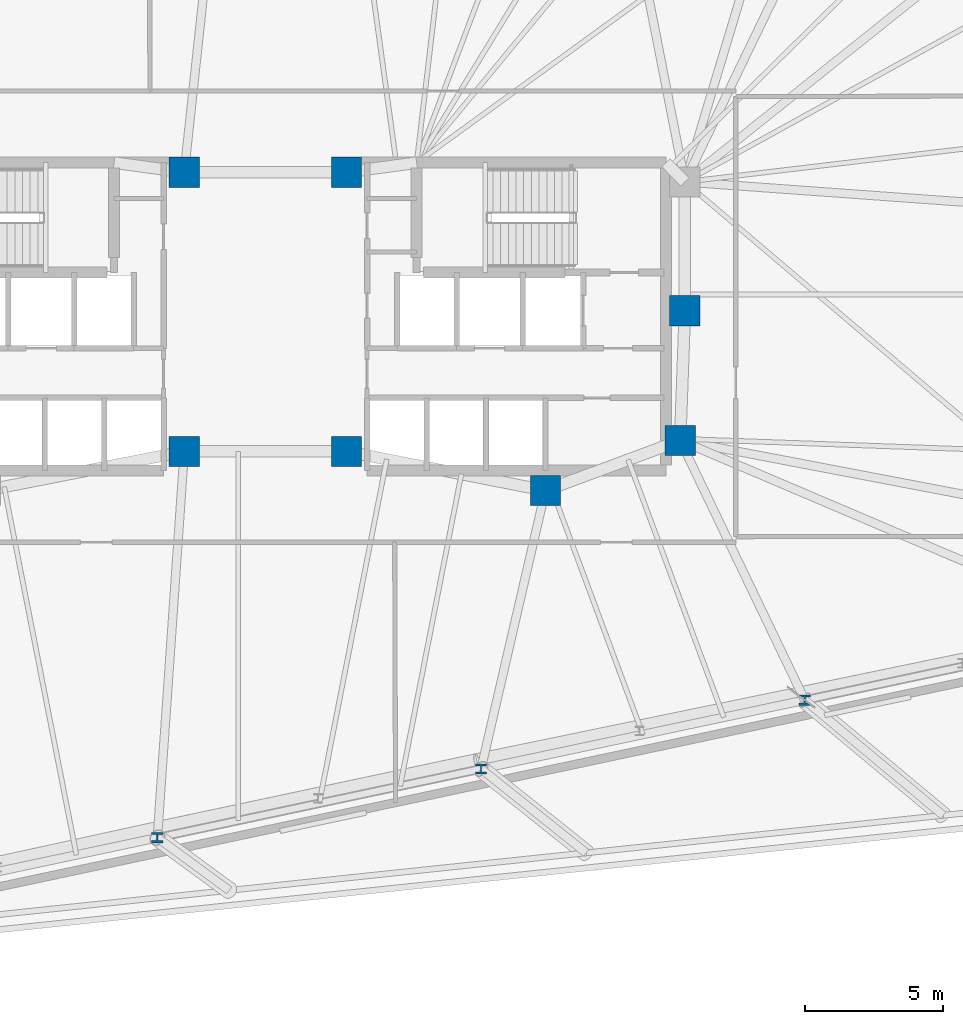
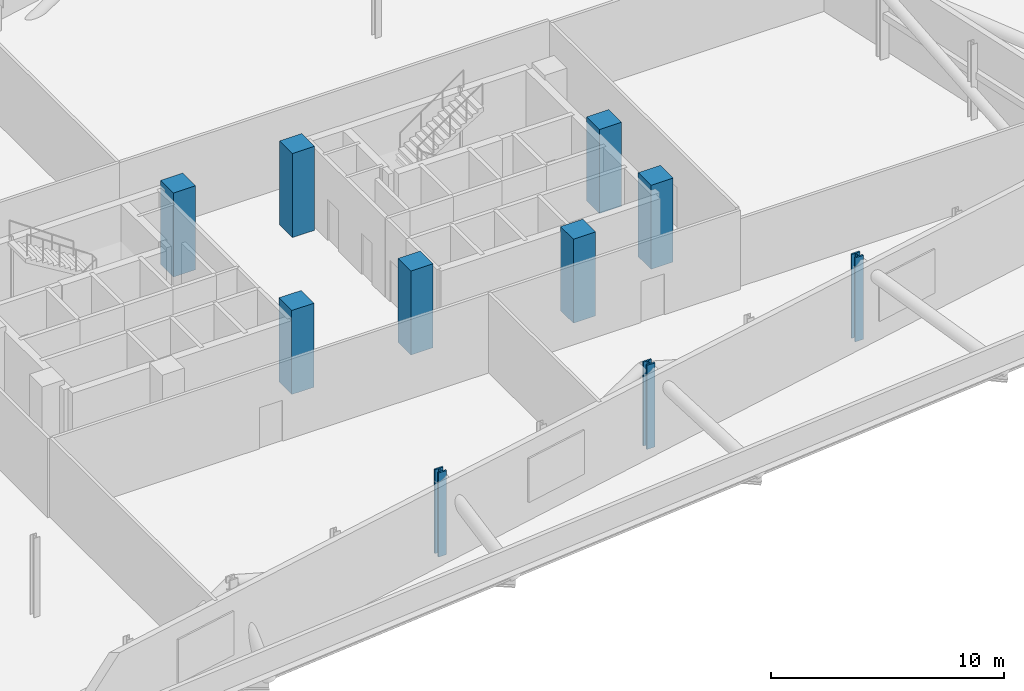
# One storey, part 3 of 19: 10 columns.
"""IFC4 building model written with IfcOpenShell, lengths in metres."""

import ifcopenshell
import ifcopenshell.guid

model = None  # the IFC model being written
_history = None  # IfcOwnerHistory: only IFC2X3 demands one
_inside = {}  # id of a spatial element -> (the spatial element, [elements in it])
_under = {}  # id of a project, library or spatial element -> (it, [spatial elements below it])
_declared = {}  # id of a project -> (the project, [libraries it declares])
_typed = {}  # id of a type object -> (the type object, [elements of that type])
_made_of = {}  # id of a material, layer set ... -> (it, [elements and type objects made of it])


def new_model(schema):
    """Start an empty IFC model of exactly this schema.

    Asked for "IFC4X3", IfcOpenShell would pick the latest addendum, in which some entities
    have other attributes; the version numbers below select the first issue.
    IFC2X3 requires an IfcOwnerHistory on every rooted entity: one is made here for all.
    """
    global model, _history
    if schema == "IFC4X3":
        model = ifcopenshell.file(schema_version=(4, 3, 0, 0))
    else:
        model = ifcopenshell.file(schema=schema)
    _inside.clear()
    _under.clear()
    _declared.clear()
    _typed.clear()
    _made_of.clear()
    _history = None
    if model.schema == "IFC2X3":
        org = make("IfcOrganization", Name="unknown")
        user = make(
            "IfcPersonAndOrganization",
            ThePerson=make("IfcPerson", FamilyName="unknown"),
            TheOrganization=org,
        )
        app = make(
            "IfcApplication",
            ApplicationDeveloper=org,
            Version="unknown",
            ApplicationFullName="unknown",
            ApplicationIdentifier="unknown",
        )
        _history = make(
            "IfcOwnerHistory",
            OwningUser=user,
            OwningApplication=app,
            ChangeAction="ADDED",
            CreationDate=0,
        )
    return model


def make(cls, **values):
    """One entity of the class cls with the attributes given. An attribute that is None is left unset."""
    return model.create_entity(
        cls, **{name: value for name, value in values.items() if value is not None}
    )


def rooted(cls, **values):
    """An entity with a GlobalId (a new one), such as an element, a storey or a relation."""
    return make(cls, GlobalId=ifcopenshell.guid.new(), OwnerHistory=_history, **values)


def si_unit(unit_type, name, prefix=None):
    """IfcSIUnit, for example si_unit("LENGTHUNIT", "METRE", prefix="MILLI")."""
    return make("IfcSIUnit", UnitType=unit_type, Prefix=prefix, Name=name)


def assignment(units):
    """IfcUnitAssignment: the units of a project."""
    return None if units is None else make("IfcUnitAssignment", Units=units)


def point(xyz):
    """IfcCartesianPoint."""
    return None if xyz is None else make("IfcCartesianPoint", Coordinates=xyz)


def direction(xyz):
    """IfcDirection."""
    return None if xyz is None else make("IfcDirection", DirectionRatios=xyz)


def frame(location, z_axis=None, x_axis=None):
    """IfcAxis2Placement3D, a coordinate frame: its origin and axes. An axis left out is left unset."""
    return make(
        "IfcAxis2Placement3D",
        Location=point(location),
        Axis=direction(z_axis),
        RefDirection=direction(x_axis),
    )


def frame_2d(location, x_axis=None):
    """IfcAxis2Placement2D, a coordinate frame in the plane: its origin and x axis."""
    return make(
        "IfcAxis2Placement2D", Location=point(location), RefDirection=direction(x_axis)
    )


def origin():
    """The frame at (0, 0, 0) with its axes left unset."""
    return frame((0.0, 0.0, 0.0))


def origin_2d():
    """The frame at (0, 0) in the plane with its x axis left unset."""
    return frame_2d((0.0, 0.0))


def place(relative_to, where):
    """IfcLocalPlacement: puts the frame where relative to a parent placement (None: the world)."""
    return make(
        "IfcLocalPlacement", PlacementRelTo=relative_to, RelativePlacement=where
    )


def context(
    kind, dimensions, precision=None, world=None, true_north=None, identifier=None
):
    """IfcGeometricRepresentationContext, for example the 3D "Model" context."""
    return make(
        "IfcGeometricRepresentationContext",
        ContextIdentifier=identifier,
        ContextType=kind,
        CoordinateSpaceDimension=dimensions,
        Precision=precision,
        WorldCoordinateSystem=world,
        TrueNorth=true_north,
    )


def subcontext(parent, identifier, kind, view, scale=None):
    """IfcGeometricRepresentationSubContext, for example "Body" below "Model"."""
    return make(
        "IfcGeometricRepresentationSubContext",
        ContextIdentifier=identifier,
        ContextType=kind,
        ParentContext=parent,
        TargetScale=scale,
        TargetView=view,
    )


def project(units=None, contexts=None):
    """IfcProject with its units and contexts."""
    return rooted(
        "IfcProject",
        Name="project",
        RepresentationContexts=contexts,
        UnitsInContext=assignment(units),
    )


def spatial(cls, under=None, at=None, **own):
    """A site, building, storey or space (cls), placed at a placement, below another one or the project."""
    s = rooted(cls, ObjectPlacement=at, **own)
    if under is not None:
        _under.setdefault(under.id(), (under, []))[1].append(s)
    return s


def profile(cls, at=None, kind="AREA", **sizes):
    """A parametric profile (cls). Its sizes go by their IFC names, for example OverallWidth=200.0."""
    return make(cls, ProfileType=kind, Position=at, **sizes)


def rectangle(**sizes):
    """IfcRectangleProfileDef."""
    return profile("IfcRectangleProfileDef", **sizes)


def i_section(**sizes):
    """IfcIShapeProfileDef."""
    return profile("IfcIShapeProfileDef", **sizes)


def extrude(swept, where, along, depth):
    """IfcExtrudedAreaSolid: the profile swept, set in the frame where, extruded along a direction by depth."""
    return make(
        "IfcExtrudedAreaSolid",
        SweptArea=swept,
        Position=where,
        ExtrudedDirection=direction(along),
        Depth=depth,
    )


def shape(context_of_items, identifier, shape_type, items):
    """IfcShapeRepresentation: the items that make up one representation, for example the "Body"."""
    return make(
        "IfcShapeRepresentation",
        ContextOfItems=context_of_items,
        RepresentationIdentifier=identifier,
        RepresentationType=shape_type,
        Items=items,
    )


def material(Name=None, Category=None):
    """IfcMaterial."""
    return make("IfcMaterial", Name=Name, Category=Category)


def material_profile(
    of_material, cross_section, Name=None, Category=None, Priority=None
):
    """IfcMaterialProfile: a cross section and its material."""
    return make(
        "IfcMaterialProfile",
        Name=Name,
        Material=of_material,
        Profile=cross_section,
        Priority=Priority,
        Category=Category,
    )


def profile_set(profiles, Name=None, composite=None):
    """IfcMaterialProfileSet."""
    return make(
        "IfcMaterialProfileSet",
        Name=Name,
        MaterialProfiles=profiles,
        CompositeProfile=composite,
    )


def made_of(thing, what):
    """Note that an element or type object is made of a material, layer set ...; save() writes the relation."""
    if what is not None:
        _made_of.setdefault(what.id(), (what, []))[1].append(thing)
    return thing


def type_object(cls, material=None, **own):
    """A type object (cls), such as IfcWallType, which elements share."""
    return made_of(rooted(cls, **own), material)


def element(
    cls,
    number,
    at=None,
    inside=None,
    cuts=None,
    type_object=None,
    material=None,
    context=None,
    identifier="Body",
    shape_type=None,
    held_by="IfcProductDefinitionShape",
    body=None,
    shapes=None,
    **own,
):
    """One element of the class cls, such as IfcWall. Its Tag is "e" and its number.

    at: its placement. inside: the storey or other place that contains it. cuts: it is an
    opening in that element (IfcRelVoidsElement). A single representation is given by context,
    identifier, shape_type and body (its items); several are given by shapes. held_by: the class
    of the entity that holds the representations. save() writes the other relations.
    """
    e = rooted(cls, Tag="e%d" % number, ObjectPlacement=at, **own)
    if body is not None:
        shapes = [shape(context, identifier, shape_type, body)]
    if shapes is not None:
        e.Representation = make(held_by, Representations=shapes)
    if inside is not None:
        _inside.setdefault(inside.id(), (inside, []))[1].append(e)
    if cuts is not None:
        rooted(
            "IfcRelVoidsElement", RelatingBuildingElement=cuts, RelatedOpeningElement=e
        )
    if type_object is not None:
        _typed.setdefault(type_object.id(), (type_object, []))[1].append(e)
    return made_of(e, material)


def aggregate(whole, parts):
    """IfcRelAggregates: a whole, such as a stair, and the parts it consists of."""
    return rooted("IfcRelAggregates", RelatingObject=whole, RelatedObjects=parts)


def save(model, path):
    """Write the relations noted so far, then the file.

    IfcRelAggregates (storeys below a building ...), IfcRelContainedInSpatialStructure (elements
    in a storey), IfcRelDefinesByType, IfcRelAssociatesMaterial and IfcRelDeclares: one each for
    every whole, place, type object, material and project.
    """
    for whole, parts in _under.values():
        aggregate(whole, parts)
    for where, things in _inside.values():
        rooted(
            "IfcRelContainedInSpatialStructure",
            RelatedElements=things,
            RelatingStructure=where,
        )
    for kind, things in _typed.values():
        rooted("IfcRelDefinesByType", RelatedObjects=things, RelatingType=kind)
    for what, things in _made_of.values():
        rooted("IfcRelAssociatesMaterial", RelatedObjects=things, RelatingMaterial=what)
    for by, libraries in _declared.values():
        rooted("IfcRelDeclares", RelatingContext=by, RelatedDefinitions=libraries)
    model.write(path)


model = new_model("IFC4")

# Units and contexts
model_context = context("Model", 3, precision=1e-05, world=origin(), true_north=direction((0.0, 1.0)))
body_context = subcontext(model_context, "Body", "Model", "MODEL_VIEW")
ifc_project = project(units=[si_unit("LENGTHUNIT", "METRE"), si_unit("AREAUNIT", "SQUARE_METRE"), si_unit("VOLUMEUNIT", "CUBIC_METRE"), si_unit("PLANEANGLEUNIT", "RADIAN"), si_unit("MASSUNIT", "GRAM", prefix="KILO")], contexts=[model_context])

# Site, building, storey
site_placement = place(None, origin())
site = spatial("IfcSite", under=ifc_project, at=site_placement, CompositionType="ELEMENT")
building_placement = place(site_placement, origin())
building = spatial("IfcBuilding", under=site, at=building_placement, Name="Menara Jurai Vektor", CompositionType="ELEMENT")
storey_placement = place(building_placement, frame((0.0, 0.0, 142.89990234375)))
storey = spatial("IfcBuildingStorey", under=building, at=storey_placement, Name="L36", CompositionType="ELEMENT", Elevation=142.89990234375)

# Columns
ifc_material_1 = material(Name="Concrete C50/60", Category="concrete")
ifc_material_profile_1 = material_profile(ifc_material_1, rectangle(XDim=1.10009765625, YDim=1.10009765625, at=origin_2d()), Name="RC 1100x1100")
ifc_profile_set_1 = profile_set([ifc_material_profile_1], Name="Concrete C50/60")
column_type_1 = type_object("IfcColumnType", Name="STR-COL-RC1100", PredefinedType="COLUMN", material=ifc_profile_set_1)
for number, where, z_axis, x_axis, name in (
    (1, (-2.949951171875, -4.89990234375, 0.0), (0.0, 0.0, 1.0), (1.0, 0.0, 0.0), "Core Spine Column CW-SE L36"),
    (2, (-2.949951171875, 5.25, 0.0), (0.0, 0.0, 1.0), (1.0, 0.0, 0.0), "Core Spine Column CW-NE L36"),
    (3, (15.25, 0.219970703125, 0.0), (0.0, 0.0, 1.0), (1.0, 0.0, 0.0), "Core Spine Column CE-EM L36"),
    (4, (15.080078125, -4.5, 0.0), (0.0, 0.0, 1.0), (1.0, 0.0, 0.0), "Core Spine Column CE-SE L36"),
    (5, (10.179931640625, -6.320068359375, 0.0), (0.0, 0.0, 1.0), (1.0, 0.0, 0.0), "Core Spine Column CE-SM L36"),
    (6, (2.949951171875, -4.89990234375, 0.0), (0.0, 0.0, 1.0), (1.0, 0.0, 0.0), "Core Spine Column CE-SW L36"),
    (7, (2.949951171875, 5.25, 0.0), (0.0, 0.0, 1.0), (1.0, 0.0, 0.0), "Core Spine Column CE-NW L36"),
):
    element("IfcColumn", number, at=place(storey_placement, frame(where, z_axis=z_axis, x_axis=x_axis)), inside=storey, type_object=column_type_1, Name=name, PredefinedType="COLUMN", context=body_context, shape_type="SweptSolid", body=[
        extrude(rectangle(XDim=1.10009765625, YDim=1.10009765625, at=origin_2d()), origin(), (0.0, 0.0, 1.0), 4.400146484375),
    ])
ifc_material_2 = material(Name="Steel S460", Category="steel")
ifc_material_profile_2 = material_profile(ifc_material_2, i_section(OverallWidth=0.408935546875, OverallDepth=0.3740234375, WebThickness=0.048095703125, FlangeThickness=0.076904296875, FilletRadius=0.014892578125, at=origin_2d()), Name="HD 400x634")
ifc_profile_set_2 = profile_set([ifc_material_profile_2], Name="Steel S460")
column_type_2 = type_object("IfcColumnType", Name="STR-EXO-BLK3", PredefinedType="COLUMN", material=ifc_profile_set_2)
for number, where, z_axis, x_axis, name in (
    (8, (-3.928466796875, -18.94287109375, 0.0), (0.0, 0.0, 1.0), (1.0, 0.0, 0.0), "Exoskeleton Column BLK3-S3 L36"),
    (9, (7.83984375, -16.44140625, 0.0), (0.0, 0.0, 1.0), (1.0, 0.0, 0.0), "Exoskeleton Column BLK3-S4 L36"),
    (10, (19.608154296875, -13.940185546875, 0.0), (0.0, 0.0, 1.0), (1.0, 0.0, 0.0), "Exoskeleton Column BLK3-S5 L36"),
):
    element("IfcColumn", number, at=place(storey_placement, frame(where, z_axis=z_axis, x_axis=x_axis)), inside=storey, type_object=column_type_2, Name=name, PredefinedType="COLUMN", context=body_context, shape_type="SweptSolid", body=[
        extrude(i_section(OverallWidth=0.408935546875, OverallDepth=0.3740234375, WebThickness=0.048095703125, FlangeThickness=0.076904296875, FilletRadius=0.014892578125, at=origin_2d()), origin(), (0.0, 0.0, 1.0), 4.400146484375),
    ])

save(model, "model.ifc")
